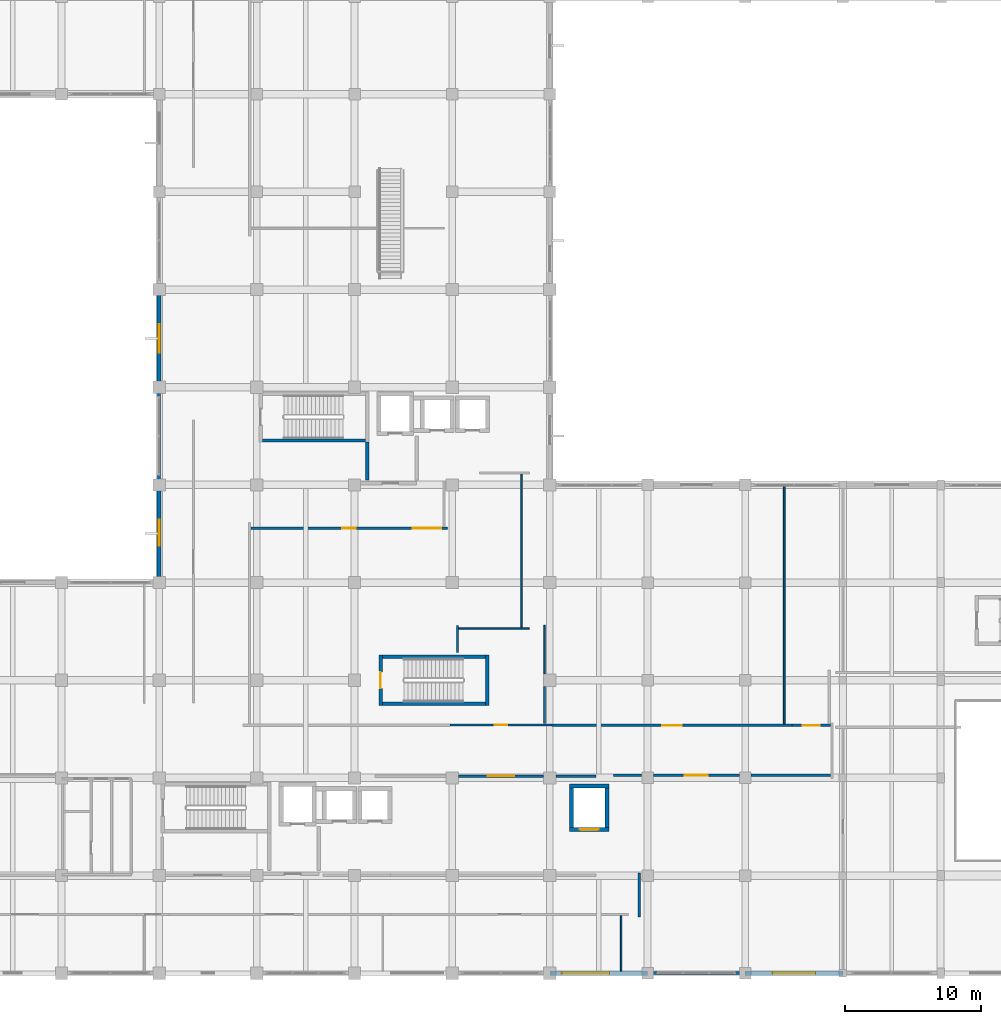
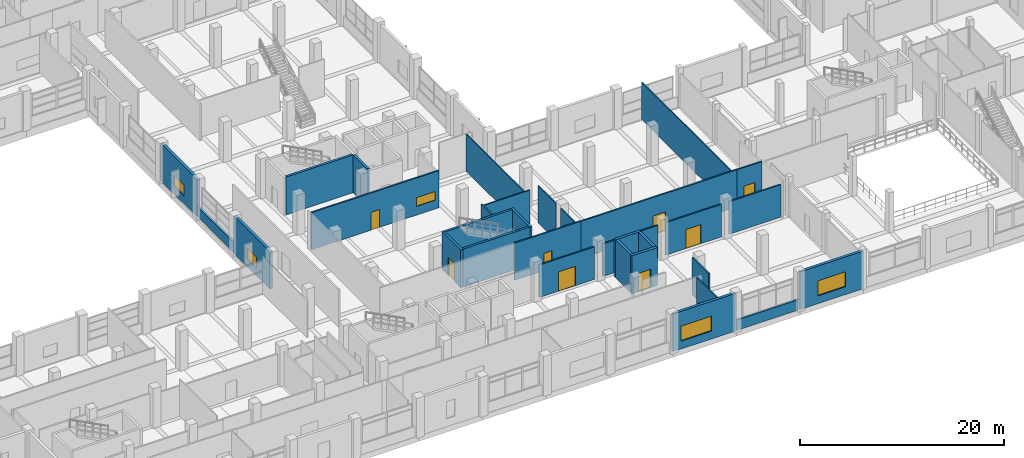
# One storey, part 159 of 181: 33 walls, 8 doors, 5 windows, 13 openings.
"""IFC4 building model written with IfcOpenShell, lengths in metres."""

import ifcopenshell
import ifcopenshell.guid

model = None  # the IFC model being written
_history = None  # IfcOwnerHistory: only IFC2X3 demands one
_inside = {}  # id of a spatial element -> (the spatial element, [elements in it])
_under = {}  # id of a project, library or spatial element -> (it, [spatial elements below it])
_declared = {}  # id of a project -> (the project, [libraries it declares])
_typed = {}  # id of a type object -> (the type object, [elements of that type])
_made_of = {}  # id of a material, layer set ... -> (it, [elements and type objects made of it])


def new_model(schema):
    """Start an empty IFC model of exactly this schema.

    Asked for "IFC4X3", IfcOpenShell would pick the latest addendum, in which some entities
    have other attributes; the version numbers below select the first issue.
    IFC2X3 requires an IfcOwnerHistory on every rooted entity: one is made here for all.
    """
    global model, _history
    if schema == "IFC4X3":
        model = ifcopenshell.file(schema_version=(4, 3, 0, 0))
    else:
        model = ifcopenshell.file(schema=schema)
    _inside.clear()
    _under.clear()
    _declared.clear()
    _typed.clear()
    _made_of.clear()
    _history = None
    if model.schema == "IFC2X3":
        org = make("IfcOrganization", Name="unknown")
        user = make(
            "IfcPersonAndOrganization",
            ThePerson=make("IfcPerson", FamilyName="unknown"),
            TheOrganization=org,
        )
        app = make(
            "IfcApplication",
            ApplicationDeveloper=org,
            Version="unknown",
            ApplicationFullName="unknown",
            ApplicationIdentifier="unknown",
        )
        _history = make(
            "IfcOwnerHistory",
            OwningUser=user,
            OwningApplication=app,
            ChangeAction="ADDED",
            CreationDate=0,
        )
    return model


def make(cls, **values):
    """One entity of the class cls with the attributes given. An attribute that is None is left unset."""
    return model.create_entity(
        cls, **{name: value for name, value in values.items() if value is not None}
    )


def rooted(cls, **values):
    """An entity with a GlobalId (a new one), such as an element, a storey or a relation."""
    return make(cls, GlobalId=ifcopenshell.guid.new(), OwnerHistory=_history, **values)


def si_unit(unit_type, name, prefix=None):
    """IfcSIUnit, for example si_unit("LENGTHUNIT", "METRE", prefix="MILLI")."""
    return make("IfcSIUnit", UnitType=unit_type, Prefix=prefix, Name=name)


def assignment(units):
    """IfcUnitAssignment: the units of a project."""
    return None if units is None else make("IfcUnitAssignment", Units=units)


def point(xyz):
    """IfcCartesianPoint."""
    return None if xyz is None else make("IfcCartesianPoint", Coordinates=xyz)


def direction(xyz):
    """IfcDirection."""
    return None if xyz is None else make("IfcDirection", DirectionRatios=xyz)


def frame(location, z_axis=None, x_axis=None):
    """IfcAxis2Placement3D, a coordinate frame: its origin and axes. An axis left out is left unset."""
    return make(
        "IfcAxis2Placement3D",
        Location=point(location),
        Axis=direction(z_axis),
        RefDirection=direction(x_axis),
    )


def frame_2d(location, x_axis=None):
    """IfcAxis2Placement2D, a coordinate frame in the plane: its origin and x axis."""
    return make(
        "IfcAxis2Placement2D", Location=point(location), RefDirection=direction(x_axis)
    )


def origin():
    """The frame at (0, 0, 0) with its axes left unset."""
    return frame((0.0, 0.0, 0.0))


def place(relative_to, where):
    """IfcLocalPlacement: puts the frame where relative to a parent placement (None: the world)."""
    return make(
        "IfcLocalPlacement", PlacementRelTo=relative_to, RelativePlacement=where
    )


def context(
    kind, dimensions, precision=None, world=None, true_north=None, identifier=None
):
    """IfcGeometricRepresentationContext, for example the 3D "Model" context."""
    return make(
        "IfcGeometricRepresentationContext",
        ContextIdentifier=identifier,
        ContextType=kind,
        CoordinateSpaceDimension=dimensions,
        Precision=precision,
        WorldCoordinateSystem=world,
        TrueNorth=true_north,
    )


def subcontext(parent, identifier, kind, view, scale=None):
    """IfcGeometricRepresentationSubContext, for example "Body" below "Model"."""
    return make(
        "IfcGeometricRepresentationSubContext",
        ContextIdentifier=identifier,
        ContextType=kind,
        ParentContext=parent,
        TargetScale=scale,
        TargetView=view,
    )


def project(units=None, contexts=None):
    """IfcProject with its units and contexts."""
    return rooted(
        "IfcProject",
        Name="project",
        RepresentationContexts=contexts,
        UnitsInContext=assignment(units),
    )


def spatial(cls, under=None, at=None, **own):
    """A site, building, storey or space (cls), placed at a placement, below another one or the project."""
    s = rooted(cls, ObjectPlacement=at, **own)
    if under is not None:
        _under.setdefault(under.id(), (under, []))[1].append(s)
    return s


def profile(cls, at=None, kind="AREA", **sizes):
    """A parametric profile (cls). Its sizes go by their IFC names, for example OverallWidth=200.0."""
    return make(cls, ProfileType=kind, Position=at, **sizes)


def rectangle(**sizes):
    """IfcRectangleProfileDef."""
    return profile("IfcRectangleProfileDef", **sizes)


def extrude(swept, where, along, depth):
    """IfcExtrudedAreaSolid: the profile swept, set in the frame where, extruded along a direction by depth."""
    return make(
        "IfcExtrudedAreaSolid",
        SweptArea=swept,
        Position=where,
        ExtrudedDirection=direction(along),
        Depth=depth,
    )


def shape(context_of_items, identifier, shape_type, items):
    """IfcShapeRepresentation: the items that make up one representation, for example the "Body"."""
    return make(
        "IfcShapeRepresentation",
        ContextOfItems=context_of_items,
        RepresentationIdentifier=identifier,
        RepresentationType=shape_type,
        Items=items,
    )


def material(Name=None, Category=None):
    """IfcMaterial."""
    return make("IfcMaterial", Name=Name, Category=Category)


def layer(
    of_material, thickness, ventilated=None, Name=None, Category=None, Priority=None
):
    """IfcMaterialLayer: one layer of a wall or slab, of a material (None: an air gap)."""
    return make(
        "IfcMaterialLayer",
        Material=of_material,
        LayerThickness=thickness,
        IsVentilated=ventilated,
        Name=Name,
        Category=Category,
        Priority=Priority,
    )


def layer_set(layers, Name=None):
    """IfcMaterialLayerSet."""
    return make("IfcMaterialLayerSet", MaterialLayers=layers, LayerSetName=Name)


def made_of(thing, what):
    """Note that an element or type object is made of a material, layer set ...; save() writes the relation."""
    if what is not None:
        _made_of.setdefault(what.id(), (what, []))[1].append(thing)
    return thing


def type_object(cls, material=None, **own):
    """A type object (cls), such as IfcWallType, which elements share."""
    return made_of(rooted(cls, **own), material)


def element(
    cls,
    number,
    at=None,
    inside=None,
    cuts=None,
    type_object=None,
    material=None,
    context=None,
    identifier="Body",
    shape_type=None,
    held_by="IfcProductDefinitionShape",
    body=None,
    shapes=None,
    **own,
):
    """One element of the class cls, such as IfcWall. Its Tag is "e" and its number.

    at: its placement. inside: the storey or other place that contains it. cuts: it is an
    opening in that element (IfcRelVoidsElement). A single representation is given by context,
    identifier, shape_type and body (its items); several are given by shapes. held_by: the class
    of the entity that holds the representations. save() writes the other relations.
    """
    e = rooted(cls, Tag="e%d" % number, ObjectPlacement=at, **own)
    if body is not None:
        shapes = [shape(context, identifier, shape_type, body)]
    if shapes is not None:
        e.Representation = make(held_by, Representations=shapes)
    if inside is not None:
        _inside.setdefault(inside.id(), (inside, []))[1].append(e)
    if cuts is not None:
        rooted(
            "IfcRelVoidsElement", RelatingBuildingElement=cuts, RelatedOpeningElement=e
        )
    if type_object is not None:
        _typed.setdefault(type_object.id(), (type_object, []))[1].append(e)
    return made_of(e, material)


def fill(opening, filler):
    """IfcRelFillsElement: the door or window that sits in an opening."""
    return rooted(
        "IfcRelFillsElement",
        RelatingOpeningElement=opening,
        RelatedBuildingElement=filler,
    )


def aggregate(whole, parts):
    """IfcRelAggregates: a whole, such as a stair, and the parts it consists of."""
    return rooted("IfcRelAggregates", RelatingObject=whole, RelatedObjects=parts)


def save(model, path):
    """Write the relations noted so far, then the file.

    IfcRelAggregates (storeys below a building ...), IfcRelContainedInSpatialStructure (elements
    in a storey), IfcRelDefinesByType, IfcRelAssociatesMaterial and IfcRelDeclares: one each for
    every whole, place, type object, material and project.
    """
    for whole, parts in _under.values():
        aggregate(whole, parts)
    for where, things in _inside.values():
        rooted(
            "IfcRelContainedInSpatialStructure",
            RelatedElements=things,
            RelatingStructure=where,
        )
    for kind, things in _typed.values():
        rooted("IfcRelDefinesByType", RelatedObjects=things, RelatingType=kind)
    for what, things in _made_of.values():
        rooted("IfcRelAssociatesMaterial", RelatedObjects=things, RelatingMaterial=what)
    for by, libraries in _declared.values():
        rooted("IfcRelDeclares", RelatingContext=by, RelatedDefinitions=libraries)
    model.write(path)


model = new_model("IFC4")

# Units and contexts
model_context = context("Model", 3, precision=1e-05, world=origin(), true_north=direction((0.0, 1.0)))
body_context = subcontext(model_context, "Body", "Model", "MODEL_VIEW")
ifc_project = project(units=[si_unit("LENGTHUNIT", "METRE"), si_unit("AREAUNIT", "SQUARE_METRE"), si_unit("VOLUMEUNIT", "CUBIC_METRE"), si_unit("PLANEANGLEUNIT", "RADIAN"), si_unit("MASSUNIT", "GRAM", prefix="KILO")], contexts=[model_context])

# Site, building, storey
site_placement = place(None, origin())
site = spatial("IfcSite", under=ifc_project, at=site_placement, CompositionType="ELEMENT")
building_placement = place(site_placement, origin())
building = spatial("IfcBuilding", under=site, at=building_placement, Name="Seraya Terrace Polytechnic", CompositionType="ELEMENT")
storey_placement = place(building_placement, frame((0.0, 0.0, 4.800048828125)))
storey = spatial("IfcBuildingStorey", under=building, at=storey_placement, Name="L01", CompositionType="ELEMENT", Elevation=4.800048828125)

# Wall, opening, window
ifc_material_1 = material(Name="Concrete C40/50", Category="concrete")
ifc_layer_1 = layer(ifc_material_1, 0.300048828125, Name="EW-01")
ifc_layer_set_1 = layer_set([ifc_layer_1], Name="Concrete C40/50")
wall_type_1 = type_object("IfcWallType", Name="EW-01", PredefinedType="SOLIDWALL", material=ifc_layer_set_1)
wall_1_placement = place(storey_placement, frame((129.60009765625, 0.0, 0.0), z_axis=(0.0, 0.0, 1.0), x_axis=(-1.0, 0.0, 0.0)))
wall_1 = element("IfcWall", 1, at=wall_1_placement, inside=storey, type_object=wall_type_1, Name="Exterior structural wall EW-01 L01", PredefinedType="SOLIDWALL", context=body_context, shape_type="SweptSolid", body=[
    extrude(rectangle(XDim=7.2001953125, YDim=0.300048828125, at=frame_2d((3.60009765625, 0.0))), origin(), (0.0, 0.0, 1.0), 4.52001953125),
])
opening_1_placement = place(wall_1_placement, frame((2.02490234375, 0.0, 0.949951171875)))
opening_1 = element("IfcOpeningElement", 2, at=opening_1_placement, cuts=wall_1, Name="Opening WN-34", PredefinedType="OPENING", context=body_context, shape_type="SweptSolid", body=[
    extrude(rectangle(XDim=3.14990234375, YDim=1.800048828125, at=frame_2d((1.574951171875, 0.89990234375))), frame((0.0, 0.162109375, 0.0), z_axis=(0.0, -1.0, 0.0), x_axis=(1.0, 0.0, 0.0)), (0.0, 0.0, 1.0), 0.323974609375),
])
ifc_material_2 = material(Name="Laminated solar-control Low-E double glazing", Category="glass")
window_type_1 = type_object("IfcWindowType", Name="WN-34", PartitioningType="SINGLE_PANEL", PredefinedType="WINDOW", material=ifc_material_2)
window_1_placement = place(opening_1_placement, origin())
window_1 = element("IfcWindow", 3, at=window_1_placement, inside=storey, type_object=window_type_1, Name="Exterior window WN-34 L01", OverallHeight=1.800048828125, OverallWidth=3.14990234375, PartitioningType="SINGLE_PANEL", PredefinedType="WINDOW", context=body_context, shape_type="SweptSolid", body=[
    extrude(rectangle(XDim=3.14990234375, YDim=1.800048828125, at=frame_2d((1.574951171875, 0.89990234375))), frame((0.0, 0.030029296875, 0.0), z_axis=(0.0, -1.0, 0.0), x_axis=(1.0, 0.0, 0.0)), (0.0, 0.0, 1.0), 0.06005859375),
])
fill(opening_1, window_1)

wall_2_placement = place(storey_placement, frame((115.199951171875, 0.0, 0.0), z_axis=(0.0, 0.0, 1.0), x_axis=(-1.0, 0.0, 0.0)))
wall_2 = element("IfcWall", 4, at=wall_2_placement, inside=storey, type_object=wall_type_1, Name="Exterior structural wall EW-01 L01", PredefinedType="SOLIDWALL", context=body_context, shape_type="SweptSolid", body=[
    extrude(rectangle(XDim=7.199951171875, YDim=0.300048828125, at=frame_2d((3.60009765625, 0.0))), origin(), (0.0, 0.0, 1.0), 4.52001953125),
])
opening_2_placement = place(wall_2_placement, frame((2.813232421875, 0.0, 0.949951171875)))
opening_2 = element("IfcOpeningElement", 5, at=opening_2_placement, cuts=wall_2, Name="Opening WN-35", PredefinedType="OPENING", context=body_context, shape_type="SweptSolid", body=[
    extrude(rectangle(XDim=3.5, YDim=1.800048828125, at=frame_2d((1.75, 0.89990234375))), frame((0.0, 0.162109375, 0.0), z_axis=(0.0, -1.0, 0.0), x_axis=(1.0, 0.0, 0.0)), (0.0, 0.0, 1.0), 0.323974609375),
])
window_type_2 = type_object("IfcWindowType", Name="WN-35", PartitioningType="SINGLE_PANEL", PredefinedType="WINDOW", material=ifc_material_2)
window_2_placement = place(opening_2_placement, origin())
window_2 = element("IfcWindow", 6, at=window_2_placement, inside=storey, type_object=window_type_2, Name="Exterior window WN-35 L01", OverallHeight=1.800048828125, OverallWidth=3.5, PartitioningType="SINGLE_PANEL", PredefinedType="WINDOW", context=body_context, shape_type="SweptSolid", body=[
    extrude(rectangle(XDim=3.5, YDim=1.800048828125, at=frame_2d((1.75, 0.89990234375))), frame((0.0, 0.030029296875, 0.0), z_axis=(0.0, -1.0, 0.0), x_axis=(1.0, 0.0, 0.0)), (0.0, 0.0, 1.0), 0.06005859375),
])
fill(opening_2, window_2)

wall_3_placement = place(storey_placement, frame((79.199951171875, 28.951904296875, 0.0), z_axis=(0.0, 0.0, 1.0), x_axis=(0.0, 1.0, 0.0)))
wall_3 = element("IfcWall", 7, at=wall_3_placement, inside=storey, type_object=wall_type_1, Name="Exterior structural wall EW-01 L01", PredefinedType="SOLIDWALL", context=body_context, shape_type="SweptSolid", body=[
    extrude(rectangle(XDim=7.048095703125, YDim=0.300048828125, at=frame_2d((3.52392578125, 0.0))), origin(), (0.0, 0.0, 1.0), 4.52001953125),
])
opening_3_placement = place(wall_3_placement, frame((2.573974609375, 0.0, 0.949951171875)))
opening_3 = element("IfcOpeningElement", 8, at=opening_3_placement, cuts=wall_3, Name="Opening WN-07", PredefinedType="OPENING", context=body_context, shape_type="SweptSolid", body=[
    extrude(rectangle(XDim=1.89990234375, YDim=1.300048828125, at=frame_2d((0.949951171875, 0.64990234375))), frame((0.0, 0.162109375, 0.0), z_axis=(0.0, -1.0, 0.0), x_axis=(1.0, 0.0, 0.0)), (0.0, 0.0, 1.0), 0.323974609375),
])
window_type_3 = type_object("IfcWindowType", Name="WN-07", PartitioningType="SINGLE_PANEL", PredefinedType="WINDOW", material=ifc_material_2)
window_3_placement = place(opening_3_placement, origin())
window_3 = element("IfcWindow", 9, at=window_3_placement, inside=storey, type_object=window_type_3, Name="Exterior window WN-07 L01", OverallHeight=1.300048828125, OverallWidth=1.89990234375, PartitioningType="SINGLE_PANEL", PredefinedType="WINDOW", context=body_context, shape_type="SweptSolid", body=[
    extrude(rectangle(XDim=1.89990234375, YDim=1.300048828125, at=frame_2d((0.949951171875, 0.64990234375))), frame((0.0, 0.030029296875, 0.0), z_axis=(0.0, -1.0, 0.0), x_axis=(1.0, 0.0, 0.0)), (0.0, 0.0, 1.0), 0.06005859375),
])
fill(opening_3, window_3)

wall_4_placement = place(storey_placement, frame((79.199951171875, 43.199951171875, 0.0), z_axis=(0.0, 0.0, 1.0), x_axis=(0.0, 1.0, 0.0)))
wall_4 = element("IfcWall", 10, at=wall_4_placement, inside=storey, type_object=wall_type_1, Name="Exterior structural wall EW-01 L01", PredefinedType="SOLIDWALL", context=body_context, shape_type="SweptSolid", body=[
    extrude(rectangle(XDim=7.199951171875, YDim=0.300048828125, at=frame_2d((3.60009765625, 0.0))), origin(), (0.0, 0.0, 1.0), 4.52001953125),
])
opening_4_placement = place(wall_4_placement, frame((2.550048828125, 0.0, 0.949951171875)))
opening_4 = element("IfcOpeningElement", 11, at=opening_4_placement, cuts=wall_4, Name="Opening WN-08", PredefinedType="OPENING", context=body_context, shape_type="SweptSolid", body=[
    extrude(rectangle(XDim=2.10009765625, YDim=1.300048828125, at=frame_2d((1.050048828125, 0.64990234375))), frame((0.0, 0.162109375, 0.0), z_axis=(0.0, -1.0, 0.0), x_axis=(1.0, 0.0, 0.0)), (0.0, 0.0, 1.0), 0.323974609375),
])
window_type_4 = type_object("IfcWindowType", Name="WN-08", PartitioningType="SINGLE_PANEL", PredefinedType="WINDOW", material=ifc_material_2)
window_4_placement = place(opening_4_placement, origin())
window_4 = element("IfcWindow", 12, at=window_4_placement, inside=storey, type_object=window_type_4, Name="Exterior window WN-08 L01", OverallHeight=1.300048828125, OverallWidth=2.10009765625, PartitioningType="SINGLE_PANEL", PredefinedType="WINDOW", context=body_context, shape_type="SweptSolid", body=[
    extrude(rectangle(XDim=2.10009765625, YDim=1.300048828125, at=frame_2d((1.050048828125, 0.64990234375))), frame((0.0, 0.030029296875, 0.0), z_axis=(0.0, -1.0, 0.0), x_axis=(1.0, 0.0, 0.0)), (0.0, 0.0, 1.0), 0.06005859375),
])
fill(opening_4, window_4)

# Walls
ifc_material_3 = material(Name="Precast concrete C40/50", Category="concrete")
ifc_layer_2 = layer(ifc_material_3, 0.219970703125, Name="EW-05")
ifc_layer_set_2 = layer_set([ifc_layer_2], Name="Precast concrete C40/50")
wall_type_2 = type_object("IfcWallType", Name="EW-05", PredefinedType="SOLIDWALL", material=ifc_layer_set_2)
for number, where, z_axis, x_axis, name in (
    (13, (122.39990234375, 0.0, 0.0), (0.0, 0.0, 1.0), (-1.0, 0.0, 0.0), "Precast spandrel wall L01"),
    (14, (79.199951171875, 36.0, 0.0), (0.0, 0.0, 1.0), (0.0, 1.0, 0.0), "Precast spandrel wall L01"),
):
    element("IfcWall", number, at=place(storey_placement, frame(where, z_axis=z_axis, x_axis=x_axis)), inside=storey, type_object=wall_type_2, Name=name, PredefinedType="SOLIDWALL", context=body_context, shape_type="SweptSolid", body=[
        extrude(rectangle(XDim=7.199951171875, YDim=0.219970703125, at=frame_2d((3.60009765625, 0.0))), origin(), (0.0, 0.0, 1.0), 1.239990234375),
    ])

# Wall, opening, door
ifc_material_4 = material(Name="Autoclaved aerated concrete blockwork", Category="masonry")
ifc_layer_3 = layer(ifc_material_4, 0.169921875, Name="PT-02")
ifc_layer_set_3 = layer_set([ifc_layer_3], Name="Autoclaved aerated concrete blockwork")
wall_type_3 = type_object("IfcWallType", Name="PT-02", PredefinedType="PARTITIONING", material=ifc_layer_set_3)
wall_5_placement = place(storey_placement, frame((100.639892578125, 18.300048828125, 0.0), z_axis=(0.0, 0.0, 1.0), x_axis=(1.0, 0.0, 0.0)))
wall_5 = element("IfcWall", 15, at=wall_5_placement, inside=storey, type_object=wall_type_3, Name="Internal partition PT-02 L01", PredefinedType="PARTITIONING", context=body_context, shape_type="SweptSolid", body=[
    extrude(rectangle(XDim=7.52001953125, YDim=0.169921875, at=frame_2d((3.760009765625, 0.0))), origin(), (0.0, 0.0, 1.0), 4.4599609375),
])
opening_5_placement = place(wall_5_placement, frame((3.31005859375, 0.0, 0.0)))
opening_5 = element("IfcOpeningElement", 16, at=opening_5_placement, cuts=wall_5, Name="Opening ID-02", PredefinedType="OPENING", context=body_context, shape_type="SweptSolid", body=[
    extrude(rectangle(XDim=0.89990234375, YDim=2.080078125, at=frame_2d((0.449951171875, 1.0400390625))), frame((0.0, 0.096923828125, 0.0), z_axis=(0.0, -1.0, 0.0), x_axis=(1.0, 0.0, 0.0)), (0.0, 0.0, 1.0), 0.19384765625),
])
ifc_material_5 = material(Name="Malaysian dark red meranti hardwood timber D40", Category="wood")
door_type_1 = type_object("IfcDoorType", Name="ID-02", OperationType="NOTDEFINED", PredefinedType="DOOR", material=ifc_material_5)
door_1_placement = place(opening_5_placement, origin())
door_1 = element("IfcDoor", 17, at=door_1_placement, inside=storey, type_object=door_type_1, Name="Door ID-02 DR-INT-L01-0088 in WL-INT-L01-0237", OperationType="SINGLE_SWING_LEFT", OverallHeight=2.080078125, OverallWidth=0.89990234375, PredefinedType="DOOR", context=body_context, shape_type="SweptSolid", body=[
    extrude(rectangle(XDim=0.89990234375, YDim=2.080078125, at=frame_2d((0.449951171875, 1.0400390625))), frame((0.0, 0.02490234375, 0.0), z_axis=(0.0, -1.0, 0.0), x_axis=(1.0, 0.0, 0.0)), (0.0, 0.0, 1.0), 0.050048828125),
])
fill(opening_5, door_1)

wall_6_placement = place(storey_placement, frame((101.260009765625, 14.530029296875, 0.0), z_axis=(0.0, 0.0, 1.0), x_axis=(1.0, 0.0, 0.0)))
wall_6 = element("IfcWall", 18, at=wall_6_placement, inside=storey, type_object=wall_type_3, Name="Internal partition PT-02 L01", PredefinedType="PARTITIONING", context=body_context, shape_type="SweptSolid", body=[
    extrude(rectangle(XDim=6.280029296875, YDim=0.169921875, at=frame_2d((3.14013671875, 0.0))), origin(), (0.0, 0.0, 1.0), 3.89990234375),
])
opening_6_placement = place(wall_6_placement, frame((2.179931640625, 0.0, 0.0)))
opening_6 = element("IfcOpeningElement", 19, at=opening_6_placement, cuts=wall_6, Name="Opening ID-16", PredefinedType="OPENING", context=body_context, shape_type="SweptSolid", body=[
    extrude(rectangle(XDim=1.919921875, YDim=2.320068359375, at=frame_2d((0.9599609375, 1.16015625))), frame((0.0, 0.096923828125, 0.0), z_axis=(0.0, -1.0, 0.0), x_axis=(1.0, 0.0, 0.0)), (0.0, 0.0, 1.0), 0.19384765625),
])
door_type_2 = type_object("IfcDoorType", Name="ID-16", OperationType="DOUBLE_DOOR_SINGLE_SWING", PredefinedType="DOOR", material=ifc_material_5)
door_2_placement = place(opening_6_placement, frame((1.919921875, 0.0, 0.0), z_axis=(0.0, 0.0, 1.0), x_axis=(-1.0, 0.0, 0.0)))
door_2 = element("IfcDoor", 20, at=door_2_placement, inside=storey, type_object=door_type_2, Name="Door ID-16 DR-INT-L01-0093 in WL-INT-L01-0249", OperationType="DOUBLE_DOOR_SINGLE_SWING", OverallHeight=2.320068359375, OverallWidth=1.919921875, PredefinedType="DOOR", context=body_context, shape_type="SweptSolid", body=[
    extrude(rectangle(XDim=1.919921875, YDim=2.320068359375, at=frame_2d((0.9599609375, 1.16015625))), frame((0.0, 0.02490234375, 0.0), z_axis=(0.0, -1.0, 0.0), x_axis=(1.0, 0.0, 0.0)), (0.0, 0.0, 1.0), 0.050048828125),
])
fill(opening_6, door_2)

# Wall
wall_7_placement = place(storey_placement, frame((108.4599609375, 14.530029296875, 0.0), z_axis=(0.0, 0.0, 1.0), x_axis=(1.0, 0.0, 0.0)))
element("IfcWall", 21, at=wall_7_placement, inside=storey, type_object=wall_type_3, Name="Internal partition PT-02 L01", PredefinedType="PARTITIONING", context=body_context, shape_type="SweptSolid", body=[
    extrude(rectangle(XDim=2.93994140625, YDim=0.169921875, at=frame_2d((1.469970703125, 0.0))), origin(), (0.0, 0.0, 1.0), 3.89990234375),
])

# Wall, opening, door
wall_8_placement = place(storey_placement, frame((115.635009765625, 14.60009765625, 0.0), z_axis=(0.0, 0.0, 1.0), x_axis=(1.0, 0.0, 0.0)))
wall_8 = element("IfcWall", 22, at=wall_8_placement, inside=storey, type_object=wall_type_3, Name="Internal partition PT-02 L01", PredefinedType="PARTITIONING", context=body_context, shape_type="SweptSolid", body=[
    extrude(rectangle(XDim=6.330078125, YDim=0.169921875, at=frame_2d((3.1650390625, 0.0))), origin(), (0.0, 0.0, 1.0), 3.89990234375),
])
opening_7_placement = place(wall_8_placement, frame((2.324951171875, 0.0, 0.0)))
opening_7 = element("IfcOpeningElement", 23, at=opening_7_placement, cuts=wall_8, Name="Opening ID-13", PredefinedType="OPENING", context=body_context, shape_type="SweptSolid", body=[
    extrude(rectangle(XDim=1.679931640625, YDim=2.280029296875, at=frame_2d((0.83984375, 1.14013671875))), frame((0.0, 0.096923828125, 0.0), z_axis=(0.0, -1.0, 0.0), x_axis=(1.0, 0.0, 0.0)), (0.0, 0.0, 1.0), 0.19384765625),
])
door_type_3 = type_object("IfcDoorType", Name="ID-13", OperationType="DOUBLE_DOOR_SINGLE_SWING", PredefinedType="DOOR", material=ifc_material_5)
door_3_placement = place(opening_7_placement, origin())
door_3 = element("IfcDoor", 24, at=door_3_placement, inside=storey, type_object=door_type_3, Name="Door ID-13 DR-INT-L01-0090 in WL-INT-L01-0253", OperationType="DOUBLE_DOOR_SINGLE_SWING", OverallHeight=2.280029296875, OverallWidth=1.679931640625, PredefinedType="DOOR", context=body_context, shape_type="SweptSolid", body=[
    extrude(rectangle(XDim=1.679931640625, YDim=2.280029296875, at=frame_2d((0.83984375, 1.14013671875))), frame((0.0, 0.02490234375, 0.0), z_axis=(0.0, -1.0, 0.0), x_axis=(1.0, 0.0, 0.0)), (0.0, 0.0, 1.0), 0.050048828125),
])
fill(opening_7, door_3)

# Walls
wall_9_placement = place(storey_placement, frame((122.8349609375, 14.60009765625, 0.0), z_axis=(0.0, 0.0, 1.0), x_axis=(1.0, 0.0, 0.0)))
element("IfcWall", 25, at=wall_9_placement, inside=storey, type_object=wall_type_3, Name="Internal partition PT-02 L01", PredefinedType="PARTITIONING", context=body_context, shape_type="SweptSolid", body=[
    extrude(rectangle(XDim=5.864990234375, YDim=0.169921875, at=frame_2d((2.9326171875, 0.0))), origin(), (0.0, 0.0, 1.0), 3.89990234375),
])
wall_10_placement = place(storey_placement, frame((112.681884765625, 14.60009765625, 0.0), z_axis=(0.0, 0.0, 1.0), x_axis=(1.0, 0.0, 0.0)))
element("IfcWall", 26, at=wall_10_placement, inside=storey, type_object=wall_type_3, Name="Internal partition PT-02 L01", PredefinedType="PARTITIONING", context=body_context, shape_type="SweptSolid", body=[
    extrude(rectangle(XDim=2.0830078125, YDim=0.169921875, at=frame_2d((1.04150390625, 0.0))), origin(), (0.0, 0.0, 1.0), 3.89990234375),
])

# Wall, opening, door
wall_11_placement = place(storey_placement, frame((108.159912109375, 18.27001953125, 0.0), z_axis=(0.0, 0.0, 1.0), x_axis=(1.0, 0.0, 0.0)))
wall_11 = element("IfcWall", 27, at=wall_11_placement, inside=storey, type_object=wall_type_3, Name="Internal partition PT-02 L01", PredefinedType="PARTITIONING", context=body_context, shape_type="SweptSolid", body=[
    extrude(rectangle(XDim=17.68212890625, YDim=0.169921875, at=frame_2d((8.841064453125, 0.0))), origin(), (0.0, 0.0, 1.0), 4.4599609375),
])
opening_8_placement = place(wall_11_placement, frame((8.131103515625, 0.0, 0.0)))
opening_8 = element("IfcOpeningElement", 28, at=opening_8_placement, cuts=wall_11, Name="Opening ID-10", PredefinedType="OPENING", context=body_context, shape_type="SweptSolid", body=[
    extrude(rectangle(XDim=1.419921875, YDim=2.239990234375, at=frame_2d((0.7099609375, 1.1201171875))), frame((0.0, 0.096923828125, 0.0), z_axis=(0.0, -1.0, 0.0), x_axis=(1.0, 0.0, 0.0)), (0.0, 0.0, 1.0), 0.19384765625),
])
door_type_4 = type_object("IfcDoorType", Name="ID-10", OperationType="DOUBLE_DOOR_SINGLE_SWING", PredefinedType="DOOR", material=ifc_material_5)
door_4_placement = place(opening_8_placement, frame((1.419921875, 0.0, 0.0), z_axis=(0.0, 0.0, 1.0), x_axis=(-1.0, 0.0, 0.0)))
door_4 = element("IfcDoor", 29, at=door_4_placement, inside=storey, type_object=door_type_4, Name="Door ID-10 DR-INT-L01-0071 in WL-INT-L01-0257", OperationType="DOUBLE_DOOR_SINGLE_SWING", OverallHeight=2.239990234375, OverallWidth=1.419921875, PredefinedType="DOOR", context=body_context, shape_type="SweptSolid", body=[
    extrude(rectangle(XDim=1.419921875, YDim=2.239990234375, at=frame_2d((0.7099609375, 1.1201171875))), frame((0.0, 0.02490234375, 0.0), z_axis=(0.0, -1.0, 0.0), x_axis=(1.0, 0.0, 0.0)), (0.0, 0.0, 1.0), 0.050048828125),
])
fill(opening_8, door_4)

wall_12_placement = place(storey_placement, frame((125.842041015625, 18.27001953125, 0.0), z_axis=(0.0, 0.0, 1.0), x_axis=(1.0, 0.0, 0.0)))
wall_12 = element("IfcWall", 30, at=wall_12_placement, inside=storey, type_object=wall_type_3, Name="Internal partition PT-02 L01", PredefinedType="PARTITIONING", context=body_context, shape_type="SweptSolid", body=[
    extrude(rectangle(XDim=2.85791015625, YDim=0.169921875, at=frame_2d((1.428955078125, 0.0))), origin(), (0.0, 0.0, 1.0), 4.4599609375),
])
opening_9_placement = place(wall_12_placement, frame((0.819091796875, 0.0, 0.0)))
opening_9 = element("IfcOpeningElement", 31, at=opening_9_placement, cuts=wall_12, Name="Opening ID-07", PredefinedType="OPENING", context=body_context, shape_type="SweptSolid", body=[
    extrude(rectangle(XDim=1.219970703125, YDim=2.219970703125, at=frame_2d((0.60986328125, 1.10986328125))), frame((0.0, 0.096923828125, 0.0), z_axis=(0.0, -1.0, 0.0), x_axis=(1.0, 0.0, 0.0)), (0.0, 0.0, 1.0), 0.19384765625),
])
door_type_5 = type_object("IfcDoorType", Name="ID-07", OperationType="NOTDEFINED", PredefinedType="DOOR", material=ifc_material_5)
door_5_placement = place(opening_9_placement, origin())
door_5 = element("IfcDoor", 32, at=door_5_placement, inside=storey, type_object=door_type_5, Name="Door ID-07 DR-INT-L01-0100 in WL-INT-L01-0258", OperationType="SINGLE_SWING_LEFT", OverallHeight=2.219970703125, OverallWidth=1.219970703125, PredefinedType="DOOR", context=body_context, shape_type="SweptSolid", body=[
    extrude(rectangle(XDim=1.219970703125, YDim=2.219970703125, at=frame_2d((0.60986328125, 1.10986328125))), frame((0.0, 0.02490234375, 0.0), z_axis=(0.0, -1.0, 0.0), x_axis=(1.0, 0.0, 0.0)), (0.0, 0.0, 1.0), 0.050048828125),
])
fill(opening_9, door_5)

# Wall
wall_13_placement = place(storey_placement, frame((114.60009765625, 4.159912109375, 0.0), z_axis=(0.0, 0.0, 1.0), x_axis=(0.0, 1.0, 0.0)))
element("IfcWall", 33, at=wall_13_placement, inside=storey, type_object=wall_type_3, Name="Internal partition PT-02 L01", PredefinedType="PARTITIONING", context=body_context, shape_type="SweptSolid", body=[
    extrude(rectangle(XDim=3.22998046875, YDim=0.169921875, at=frame_2d((1.614990234375, 0.0))), origin(), (0.0, 0.0, 1.0), 4.4599609375),
])

# Wall, openings, door, window
wall_14_placement = place(storey_placement, frame((85.963134765625, 32.800048828125, 0.0), z_axis=(0.0, 0.0, 1.0), x_axis=(1.0, 0.0, 0.0)))
wall_14 = element("IfcWall", 34, at=wall_14_placement, inside=storey, type_object=wall_type_3, Name="Internal partition PT-02 L01", PredefinedType="PARTITIONING", context=body_context, shape_type="SweptSolid", body=[
    extrude(rectangle(XDim=14.476806640625, YDim=0.169921875, at=frame_2d((7.23828125, 0.0))), origin(), (0.0, 0.0, 1.0), 4.4599609375),
])
opening_10_placement = place(wall_14_placement, frame((6.748291015625, 0.0, 0.0)))
opening_10 = element("IfcOpeningElement", 35, at=opening_10_placement, cuts=wall_14, Name="Opening ID-03", PredefinedType="OPENING", context=body_context, shape_type="SweptSolid", body=[
    extrude(rectangle(XDim=0.97998046875, YDim=2.139892578125, at=frame_2d((0.489990234375, 1.06982421875))), frame((0.0, 0.096923828125, 0.0), z_axis=(0.0, -1.0, 0.0), x_axis=(1.0, 0.0, 0.0)), (0.0, 0.0, 1.0), 0.19384765625),
])
opening_11_placement = place(wall_14_placement, frame((11.9267578125, 0.0, 1.050048828125)))
opening_11 = element("IfcOpeningElement", 36, at=opening_11_placement, cuts=wall_14, Name="Opening IW-03", PredefinedType="OPENING", context=body_context, shape_type="SweptSolid", body=[
    extrude(rectangle(XDim=2.10009765625, YDim=1.050048828125, at=frame_2d((1.050048828125, 0.52490234375))), frame((0.0, 0.096923828125, 0.0), z_axis=(0.0, -1.0, 0.0), x_axis=(1.0, 0.0, 0.0)), (0.0, 0.0, 1.0), 0.19384765625),
])
door_type_6 = type_object("IfcDoorType", Name="ID-03", OperationType="NOTDEFINED", PredefinedType="DOOR", material=ifc_material_5)
door_6_placement = place(opening_10_placement, origin())
door_6 = element("IfcDoor", 37, at=door_6_placement, inside=storey, type_object=door_type_6, Name="Door ID-03 DR-INT-L01-0080 in WL-INT-L01-0283", OperationType="SINGLE_SWING_LEFT", OverallHeight=2.139892578125, OverallWidth=0.97998046875, PredefinedType="DOOR", context=body_context, shape_type="SweptSolid", body=[
    extrude(rectangle(XDim=0.97998046875, YDim=2.139892578125, at=frame_2d((0.489990234375, 1.06982421875))), frame((0.0, 0.02490234375, 0.0), z_axis=(0.0, -1.0, 0.0), x_axis=(1.0, 0.0, 0.0)), (0.0, 0.0, 1.0), 0.050048828125),
])
fill(opening_10, door_6)
window_type_5 = type_object("IfcWindowType", Name="IW-03", PartitioningType="SINGLE_PANEL", PredefinedType="WINDOW", material=ifc_material_2)
window_5_placement = place(opening_11_placement, origin())
window_5 = element("IfcWindow", 38, at=window_5_placement, inside=storey, type_object=window_type_5, Name="Internal lab vision window IW-03 L01", OverallHeight=1.050048828125, OverallWidth=2.10009765625, PartitioningType="SINGLE_PANEL", PredefinedType="WINDOW", context=body_context, shape_type="SweptSolid", body=[
    extrude(rectangle(XDim=2.10009765625, YDim=1.050048828125, at=frame_2d((1.050048828125, 0.52490234375))), frame((0.0, 0.030029296875, 0.0), z_axis=(0.0, -1.0, 0.0), x_axis=(1.0, 0.0, 0.0)), (0.0, 0.0, 1.0), 0.06005859375),
])
fill(opening_11, window_5)

# Walls
ifc_layer_4 = layer(ifc_material_4, 0.14990234375, Name="PT-03")
ifc_layer_set_4 = layer_set([ifc_layer_4], Name="Autoclaved aerated concrete blockwork")
wall_type_4 = type_object("IfcWallType", Name="PT-03", PredefinedType="PARTITIONING", material=ifc_layer_set_4)
wall_15_placement = place(storey_placement, frame((101.199951171875, 23.6298828125, 0.0), z_axis=(0.0, 0.0, 1.0), x_axis=(0.0, 1.0, 0.0)))
element("IfcWall", 39, at=wall_15_placement, inside=storey, type_object=wall_type_4, Name="Internal partition PT-03 L01", PredefinedType="PARTITIONING", context=body_context, shape_type="SweptSolid", body=[
    extrude(rectangle(XDim=2.010009765625, YDim=0.14990234375, at=frame_2d((1.0048828125, 0.0))), origin(), (0.0, 0.0, 1.0), 4.4599609375),
])
wall_16_placement = place(storey_placement, frame((107.60009765625, 18.39990234375, 0.0), z_axis=(0.0, 0.0, 1.0), x_axis=(0.0, 1.0, 0.0)))
element("IfcWall", 40, at=wall_16_placement, inside=storey, type_object=wall_type_4, Name="Internal partition PT-03 L01", PredefinedType="PARTITIONING", context=body_context, shape_type="SweptSolid", body=[
    extrude(rectangle(XDim=2.739990234375, YDim=0.14990234375, at=frame_2d((1.3701171875, 0.0))), origin(), (0.0, 0.0, 1.0), 4.4599609375),
])
ifc_layer_5 = layer(ifc_material_4, 0.1201171875, Name="PT-05")
ifc_layer_set_5 = layer_set([ifc_layer_5], Name="Autoclaved aerated concrete blockwork")
wall_type_5 = type_object("IfcWallType", Name="PT-05", PredefinedType="PARTITIONING", material=ifc_layer_set_5)
wall_17_placement = place(storey_placement, frame((101.2900390625, 25.39990234375, 0.0), z_axis=(0.0, 0.0, 1.0), x_axis=(1.0, 0.0, 0.0)))
element("IfcWall", 41, at=wall_17_placement, inside=storey, type_object=wall_type_5, Name="Internal partition PT-05 L01", PredefinedType="PARTITIONING", context=body_context, shape_type="SweptSolid", body=[
    extrude(rectangle(XDim=5.185546875, YDim=0.1201171875, at=frame_2d((2.5927734375, 0.0))), origin(), (0.0, 0.0, 1.0), 4.4599609375),
])
wall_18_placement = place(storey_placement, frame((113.25341796875, 0.162109375, 0.0), z_axis=(0.0, 0.0, 1.0), x_axis=(0.0, 1.0, 0.0)))
element("IfcWall", 42, at=wall_18_placement, inside=storey, type_object=wall_type_5, Name="Internal partition PT-05 L01", PredefinedType="PARTITIONING", context=body_context, shape_type="SweptSolid", body=[
    extrude(rectangle(XDim=4.06787109375, YDim=0.1201171875, at=frame_2d((2.033935546875, 0.0))), origin(), (0.0, 0.0, 1.0), 4.4599609375),
])
wall_19_placement = place(storey_placement, frame((125.281982421875, 18.3701171875, 0.0), z_axis=(0.0, 0.0, 1.0), x_axis=(0.0, 1.0, 0.0)))
element("IfcWall", 43, at=wall_19_placement, inside=storey, type_object=wall_type_5, Name="Internal partition PT-05 L01", PredefinedType="PARTITIONING", context=body_context, shape_type="SweptSolid", body=[
    extrude(rectangle(XDim=17.5078125, YDim=0.1201171875, at=frame_2d((8.75390625, 0.0))), origin(), (0.0, 0.0, 1.0), 4.4599609375),
])
ifc_layer_6 = layer(ifc_material_4, 0.10009765625, Name="PT-06")
ifc_layer_set_6 = layer_set([ifc_layer_6], Name="Autoclaved aerated concrete blockwork")
wall_type_6 = type_object("IfcWallType", Name="PT-06", PredefinedType="PARTITIONING", material=ifc_layer_set_6)
wall_20_placement = place(storey_placement, frame((107.60009765625, 22.06005859375, 0.0), z_axis=(0.0, 0.0, 1.0), x_axis=(0.0, 1.0, 0.0)))
element("IfcWall", 44, at=wall_20_placement, inside=storey, type_object=wall_type_6, Name="Internal partition PT-06 L01", PredefinedType="PARTITIONING", context=body_context, shape_type="SweptSolid", body=[
    extrude(rectangle(XDim=3.579833984375, YDim=0.10009765625, at=frame_2d((1.7900390625, 0.0))), origin(), (0.0, 0.0, 1.0), 4.4599609375),
])
wall_21_placement = place(storey_placement, frame((105.904296875, 25.47509765625, 0.0), z_axis=(0.0, 0.0, 1.0), x_axis=(0.0, 1.0, 0.0)))
element("IfcWall", 45, at=wall_21_placement, inside=storey, type_object=wall_type_6, Name="Internal partition PT-06 L01", PredefinedType="PARTITIONING", context=body_context, shape_type="SweptSolid", body=[
    extrude(rectangle(XDim=11.329833984375, YDim=0.10009765625, at=frame_2d((5.6650390625, 0.0))), origin(), (0.0, 0.0, 1.0), 4.4599609375),
])

# Wall, opening, door
ifc_layer_7 = layer(ifc_material_1, 0.300048828125, Name="SW-01")
ifc_layer_set_7 = layer_set([ifc_layer_7], Name="Concrete C40/50")
wall_type_7 = type_object("IfcWallType", Name="SW-01", PredefinedType="SHEAR", material=ifc_layer_set_7)
wall_22_placement = place(storey_placement, frame((109.449951171875, 10.60009765625, 0.0), z_axis=(0.0, 0.0, 1.0), x_axis=(1.0, 0.0, 0.0)))
wall_22 = element("IfcWall", 46, at=wall_22_placement, inside=storey, type_object=wall_type_7, Name="Lift shaft GL-02 South wall L01", PredefinedType="SHEAR", context=body_context, shape_type="SweptSolid", body=[
    extrude(rectangle(XDim=2.900146484375, YDim=0.300048828125, at=frame_2d((1.4501953125, 0.0))), origin(), (0.0, 0.0, 1.0), 4.550048828125),
])
opening_12_placement = place(wall_22_placement, frame((0.75, 0.0, 0.0)))
opening_12 = element("IfcOpeningElement", 47, at=opening_12_placement, cuts=wall_22, Name="Opening LD-02", PredefinedType="OPENING", context=body_context, shape_type="SweptSolid", body=[
    extrude(rectangle(XDim=1.39990234375, YDim=2.199951171875, at=frame_2d((0.699951171875, 1.10009765625))), frame((0.0, 0.162109375, 0.0), z_axis=(0.0, -1.0, 0.0), x_axis=(1.0, 0.0, 0.0)), (0.0, 0.0, 1.0), 0.323974609375),
])
ifc_material_6 = material(Name="Steel S355J2", Category="steel")
door_type_7 = type_object("IfcDoorType", Name="LD-02", OperationType="SLIDING_TO_RIGHT", PredefinedType="DOOR", material=ifc_material_6)
door_7_placement = place(opening_12_placement, frame((1.39990234375, 0.0, 0.0), z_axis=(0.0, 0.0, 1.0), x_axis=(-1.0, 0.0, 0.0)))
door_7 = element("IfcDoor", 48, at=door_7_placement, inside=storey, type_object=door_type_7, Name="Door LD-02 LD-GL-02-L01 in WL-SHF-GL-02-L01-S", OperationType="SLIDING_TO_RIGHT", OverallHeight=2.199951171875, OverallWidth=1.39990234375, PredefinedType="DOOR", context=body_context, shape_type="SweptSolid", body=[
    extrude(rectangle(XDim=1.39990234375, YDim=2.199951171875, at=frame_2d((0.699951171875, 1.10009765625))), frame((0.0, 0.02490234375, 0.0), z_axis=(0.0, -1.0, 0.0), x_axis=(1.0, 0.0, 0.0)), (0.0, 0.0, 1.0), 0.050048828125),
])
fill(opening_12, door_7)

# Walls
wall_23_placement = place(storey_placement, frame((109.449951171875, 13.800048828125, 0.0), z_axis=(0.0, 0.0, 1.0), x_axis=(1.0, 0.0, 0.0)))
element("IfcWall", 49, at=wall_23_placement, inside=storey, type_object=wall_type_7, Name="Lift shaft GL-02 North wall L01", PredefinedType="SHEAR", context=body_context, shape_type="SweptSolid", body=[
    extrude(rectangle(XDim=2.900146484375, YDim=0.300048828125, at=frame_2d((1.4501953125, 0.0))), origin(), (0.0, 0.0, 1.0), 4.550048828125),
])
for number, where, z_axis, x_axis, name in (
    (50, (109.60009765625, 10.75, 0.0), (0.0, 0.0, 1.0), (0.0, 1.0, 0.0), "Lift shaft GL-02 West wall L01"),
    (51, (112.199951171875, 10.75, 0.0), (0.0, 0.0, 1.0), (0.0, 1.0, 0.0), "Lift shaft GL-02 East wall L01"),
):
    element("IfcWall", number, at=place(storey_placement, frame(where, z_axis=z_axis, x_axis=x_axis)), inside=storey, type_object=wall_type_7, Name=name, PredefinedType="SHEAR", context=body_context, shape_type="SweptSolid", body=[
        extrude(rectangle(XDim=2.89990234375, YDim=0.300048828125, at=frame_2d((1.449951171875, 0.0))), origin(), (0.0, 0.0, 1.0), 4.550048828125),
    ])
ifc_layer_8 = layer(ifc_material_1, 0.25, Name="SW-02")
ifc_layer_set_8 = layer_set([ifc_layer_8], Name="Concrete C40/50")
wall_type_8 = type_object("IfcWallType", Name="SW-02", PredefinedType="SHEAR", material=ifc_layer_set_8)
wall_24_placement = place(storey_placement, frame((86.800048828125, 39.27490234375, 0.0), z_axis=(0.0, 0.0, 1.0), x_axis=(1.0, 0.0, 0.0)))
element("IfcWall", 52, at=wall_24_placement, inside=storey, type_object=wall_type_8, Name="Stairwell ST-02 South wall L01", PredefinedType="SHEAR", context=body_context, shape_type="SweptSolid", body=[
    extrude(rectangle(XDim=7.599853515625, YDim=0.25, at=frame_2d((3.7998046875, 0.0))), origin(), (0.0, 0.0, 1.0), 4.550048828125),
])

# Wall, opening, door
wall_25_placement = place(storey_placement, frame((95.52490234375, 19.75, 0.0), z_axis=(0.0, 0.0, 1.0), x_axis=(0.0, 1.0, 0.0)))
wall_25 = element("IfcWall", 53, at=wall_25_placement, inside=storey, type_object=wall_type_8, Name="Stairwell ST-05 West wall L01", PredefinedType="SHEAR", context=body_context, shape_type="SweptSolid", body=[
    extrude(rectangle(XDim=3.699951171875, YDim=0.25, at=frame_2d((1.85009765625, 0.0))), origin(), (0.0, 0.0, 1.0), 4.550048828125),
])
opening_13_placement = place(wall_25_placement, frame((1.25, 0.0, 0.0)))
opening_13 = element("IfcOpeningElement", 54, at=opening_13_placement, cuts=wall_25, Name="Opening FD-01", PredefinedType="OPENING", context=body_context, shape_type="SweptSolid", body=[
    extrude(rectangle(XDim=1.199951171875, YDim=2.14990234375, at=frame_2d((0.60009765625, 1.074951171875))), frame((0.0, 0.136962890625, 0.0), z_axis=(0.0, -1.0, 0.0), x_axis=(1.0, 0.0, 0.0)), (0.0, 0.0, 1.0), 0.27392578125),
])
door_type_8 = type_object("IfcDoorType", Name="FD-01", OperationType="NOTDEFINED", PredefinedType="DOOR", material=ifc_material_6)
door_8_placement = place(opening_13_placement, frame((1.199951171875, 0.0, 0.0), z_axis=(0.0, 0.0, 1.0), x_axis=(-1.0, 0.0, 0.0)))
door_8 = element("IfcDoor", 55, at=door_8_placement, inside=storey, type_object=door_type_8, Name="Door FD-01 DR-STR-ST-05-L01 in WL-STR-ST-05-L01-W", OperationType="SINGLE_SWING_LEFT", OverallHeight=2.14990234375, OverallWidth=1.199951171875, PredefinedType="DOOR", context=body_context, shape_type="SweptSolid", body=[
    extrude(rectangle(XDim=1.199951171875, YDim=2.14990234375, at=frame_2d((0.60009765625, 1.074951171875))), frame((0.0, 0.02490234375, 0.0), z_axis=(0.0, -1.0, 0.0), x_axis=(1.0, 0.0, 0.0)), (0.0, 0.0, 1.0), 0.050048828125),
])
fill(opening_13, door_8)

# Walls
wall_26_placement = place(storey_placement, frame((103.375, 19.75, 0.0), z_axis=(0.0, 0.0, 1.0), x_axis=(0.0, 1.0, 0.0)))
element("IfcWall", 56, at=wall_26_placement, inside=storey, type_object=wall_type_8, Name="Stairwell ST-05 East wall L01", PredefinedType="SHEAR", context=body_context, shape_type="SweptSolid", body=[
    extrude(rectangle(XDim=3.699951171875, YDim=0.25, at=frame_2d((1.85009765625, 0.0))), origin(), (0.0, 0.0, 1.0), 4.550048828125),
])
for number, where, z_axis, x_axis, name in (
    (57, (95.64990234375, 19.875, 0.0), (0.0, 0.0, 1.0), (1.0, 0.0, 0.0), "Stairwell ST-05 South wall L01"),
    (58, (95.64990234375, 23.324951171875, 0.0), (0.0, 0.0, 1.0), (1.0, 0.0, 0.0), "Stairwell ST-05 North wall L01"),
):
    element("IfcWall", number, at=place(storey_placement, frame(where, z_axis=z_axis, x_axis=x_axis)), inside=storey, type_object=wall_type_8, Name=name, PredefinedType="SHEAR", context=body_context, shape_type="SweptSolid", body=[
        extrude(rectangle(XDim=7.60009765625, YDim=0.25, at=frame_2d((3.800048828125, 0.0))), origin(), (0.0, 0.0, 1.0), 4.550048828125),
    ])
wall_27_placement = place(storey_placement, frame((94.52490234375, 36.375, 0.0), z_axis=(0.0, 0.0, 1.0), x_axis=(0.0, 1.0, 0.0)))
element("IfcWall", 59, at=wall_27_placement, inside=storey, type_object=wall_type_8, Name="Firefighting lobby B West wall L01", PredefinedType="SHEAR", context=body_context, shape_type="SweptSolid", body=[
    extrude(rectangle(XDim=2.77001953125, YDim=0.25, at=frame_2d((1.385009765625, 0.0))), origin(), (0.0, 0.0, 1.0), 4.550048828125),
])

save(model, "model.ifc")
